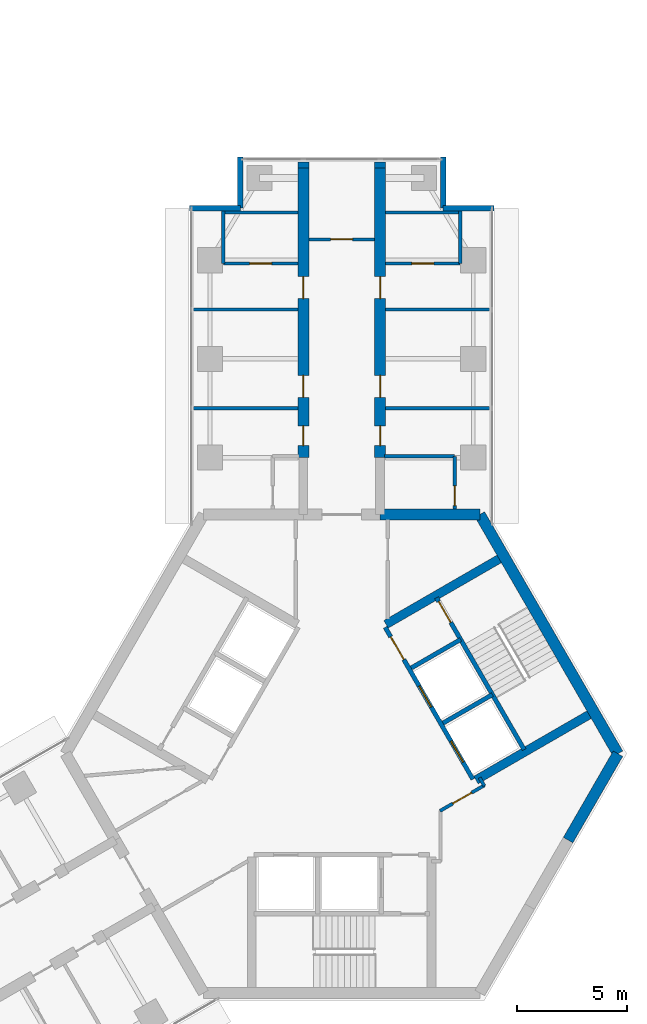
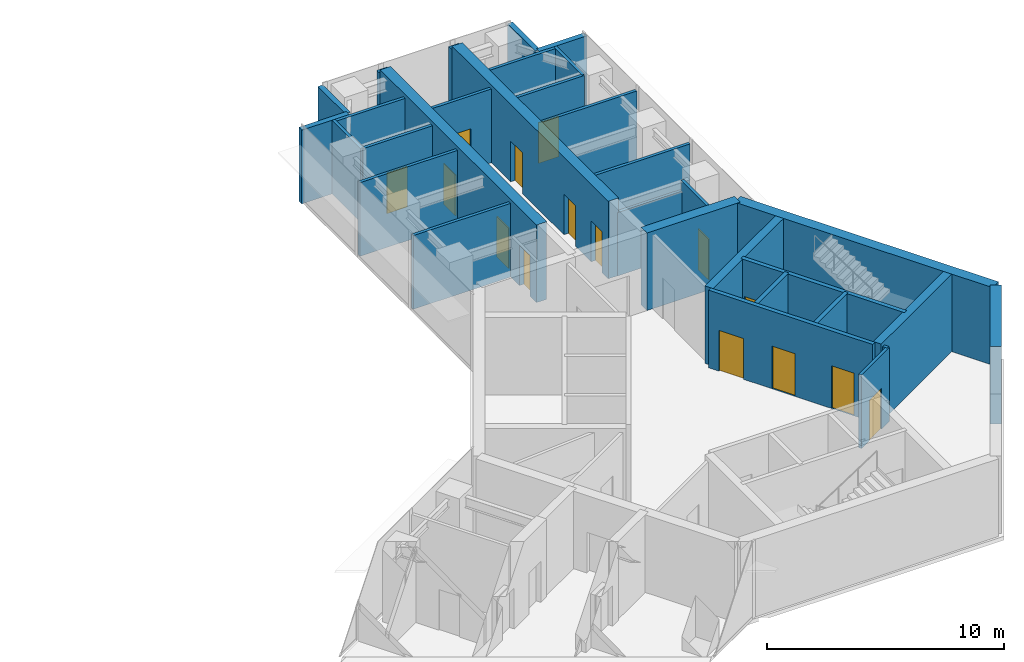
# One storey, part 15 of 17: 32 walls, 15 doors, 15 openings.
"""IFC4 building model written with IfcOpenShell, lengths in metres."""

import ifcopenshell
import ifcopenshell.guid

model = None  # the IFC model being written
_history = None  # IfcOwnerHistory: only IFC2X3 demands one
_inside = {}  # id of a spatial element -> (the spatial element, [elements in it])
_under = {}  # id of a project, library or spatial element -> (it, [spatial elements below it])
_declared = {}  # id of a project -> (the project, [libraries it declares])
_typed = {}  # id of a type object -> (the type object, [elements of that type])
_made_of = {}  # id of a material, layer set ... -> (it, [elements and type objects made of it])


def new_model(schema):
    """Start an empty IFC model of exactly this schema.

    Asked for "IFC4X3", IfcOpenShell would pick the latest addendum, in which some entities
    have other attributes; the version numbers below select the first issue.
    IFC2X3 requires an IfcOwnerHistory on every rooted entity: one is made here for all.
    """
    global model, _history
    if schema == "IFC4X3":
        model = ifcopenshell.file(schema_version=(4, 3, 0, 0))
    else:
        model = ifcopenshell.file(schema=schema)
    _inside.clear()
    _under.clear()
    _declared.clear()
    _typed.clear()
    _made_of.clear()
    _history = None
    if model.schema == "IFC2X3":
        org = make("IfcOrganization", Name="unknown")
        user = make(
            "IfcPersonAndOrganization",
            ThePerson=make("IfcPerson", FamilyName="unknown"),
            TheOrganization=org,
        )
        app = make(
            "IfcApplication",
            ApplicationDeveloper=org,
            Version="unknown",
            ApplicationFullName="unknown",
            ApplicationIdentifier="unknown",
        )
        _history = make(
            "IfcOwnerHistory",
            OwningUser=user,
            OwningApplication=app,
            ChangeAction="ADDED",
            CreationDate=0,
        )
    return model


def make(cls, **values):
    """One entity of the class cls with the attributes given. An attribute that is None is left unset."""
    return model.create_entity(
        cls, **{name: value for name, value in values.items() if value is not None}
    )


def rooted(cls, **values):
    """An entity with a GlobalId (a new one), such as an element, a storey or a relation."""
    return make(cls, GlobalId=ifcopenshell.guid.new(), OwnerHistory=_history, **values)


def si_unit(unit_type, name, prefix=None):
    """IfcSIUnit, for example si_unit("LENGTHUNIT", "METRE", prefix="MILLI")."""
    return make("IfcSIUnit", UnitType=unit_type, Prefix=prefix, Name=name)


def assignment(units):
    """IfcUnitAssignment: the units of a project."""
    return None if units is None else make("IfcUnitAssignment", Units=units)


def point(xyz):
    """IfcCartesianPoint."""
    return None if xyz is None else make("IfcCartesianPoint", Coordinates=xyz)


def direction(xyz):
    """IfcDirection."""
    return None if xyz is None else make("IfcDirection", DirectionRatios=xyz)


def frame(location, z_axis=None, x_axis=None):
    """IfcAxis2Placement3D, a coordinate frame: its origin and axes. An axis left out is left unset."""
    return make(
        "IfcAxis2Placement3D",
        Location=point(location),
        Axis=direction(z_axis),
        RefDirection=direction(x_axis),
    )


def frame_2d(location, x_axis=None):
    """IfcAxis2Placement2D, a coordinate frame in the plane: its origin and x axis."""
    return make(
        "IfcAxis2Placement2D", Location=point(location), RefDirection=direction(x_axis)
    )


def origin():
    """The frame at (0, 0, 0) with its axes left unset."""
    return frame((0.0, 0.0, 0.0))


def place(relative_to, where):
    """IfcLocalPlacement: puts the frame where relative to a parent placement (None: the world)."""
    return make(
        "IfcLocalPlacement", PlacementRelTo=relative_to, RelativePlacement=where
    )


def context(
    kind, dimensions, precision=None, world=None, true_north=None, identifier=None
):
    """IfcGeometricRepresentationContext, for example the 3D "Model" context."""
    return make(
        "IfcGeometricRepresentationContext",
        ContextIdentifier=identifier,
        ContextType=kind,
        CoordinateSpaceDimension=dimensions,
        Precision=precision,
        WorldCoordinateSystem=world,
        TrueNorth=true_north,
    )


def subcontext(parent, identifier, kind, view, scale=None):
    """IfcGeometricRepresentationSubContext, for example "Body" below "Model"."""
    return make(
        "IfcGeometricRepresentationSubContext",
        ContextIdentifier=identifier,
        ContextType=kind,
        ParentContext=parent,
        TargetScale=scale,
        TargetView=view,
    )


def project(units=None, contexts=None):
    """IfcProject with its units and contexts."""
    return rooted(
        "IfcProject",
        Name="project",
        RepresentationContexts=contexts,
        UnitsInContext=assignment(units),
    )


def spatial(cls, under=None, at=None, **own):
    """A site, building, storey or space (cls), placed at a placement, below another one or the project."""
    s = rooted(cls, ObjectPlacement=at, **own)
    if under is not None:
        _under.setdefault(under.id(), (under, []))[1].append(s)
    return s


def profile(cls, at=None, kind="AREA", **sizes):
    """A parametric profile (cls). Its sizes go by their IFC names, for example OverallWidth=200.0."""
    return make(cls, ProfileType=kind, Position=at, **sizes)


def rectangle(**sizes):
    """IfcRectangleProfileDef."""
    return profile("IfcRectangleProfileDef", **sizes)


def extrude(swept, where, along, depth):
    """IfcExtrudedAreaSolid: the profile swept, set in the frame where, extruded along a direction by depth."""
    return make(
        "IfcExtrudedAreaSolid",
        SweptArea=swept,
        Position=where,
        ExtrudedDirection=direction(along),
        Depth=depth,
    )


def shape(context_of_items, identifier, shape_type, items):
    """IfcShapeRepresentation: the items that make up one representation, for example the "Body"."""
    return make(
        "IfcShapeRepresentation",
        ContextOfItems=context_of_items,
        RepresentationIdentifier=identifier,
        RepresentationType=shape_type,
        Items=items,
    )


def material(Name=None, Category=None):
    """IfcMaterial."""
    return make("IfcMaterial", Name=Name, Category=Category)


def layer(
    of_material, thickness, ventilated=None, Name=None, Category=None, Priority=None
):
    """IfcMaterialLayer: one layer of a wall or slab, of a material (None: an air gap)."""
    return make(
        "IfcMaterialLayer",
        Material=of_material,
        LayerThickness=thickness,
        IsVentilated=ventilated,
        Name=Name,
        Category=Category,
        Priority=Priority,
    )


def layer_set(layers, Name=None):
    """IfcMaterialLayerSet."""
    return make("IfcMaterialLayerSet", MaterialLayers=layers, LayerSetName=Name)


def made_of(thing, what):
    """Note that an element or type object is made of a material, layer set ...; save() writes the relation."""
    if what is not None:
        _made_of.setdefault(what.id(), (what, []))[1].append(thing)
    return thing


def type_object(cls, material=None, **own):
    """A type object (cls), such as IfcWallType, which elements share."""
    return made_of(rooted(cls, **own), material)


def element(
    cls,
    number,
    at=None,
    inside=None,
    cuts=None,
    type_object=None,
    material=None,
    context=None,
    identifier="Body",
    shape_type=None,
    held_by="IfcProductDefinitionShape",
    body=None,
    shapes=None,
    **own,
):
    """One element of the class cls, such as IfcWall. Its Tag is "e" and its number.

    at: its placement. inside: the storey or other place that contains it. cuts: it is an
    opening in that element (IfcRelVoidsElement). A single representation is given by context,
    identifier, shape_type and body (its items); several are given by shapes. held_by: the class
    of the entity that holds the representations. save() writes the other relations.
    """
    e = rooted(cls, Tag="e%d" % number, ObjectPlacement=at, **own)
    if body is not None:
        shapes = [shape(context, identifier, shape_type, body)]
    if shapes is not None:
        e.Representation = make(held_by, Representations=shapes)
    if inside is not None:
        _inside.setdefault(inside.id(), (inside, []))[1].append(e)
    if cuts is not None:
        rooted(
            "IfcRelVoidsElement", RelatingBuildingElement=cuts, RelatedOpeningElement=e
        )
    if type_object is not None:
        _typed.setdefault(type_object.id(), (type_object, []))[1].append(e)
    return made_of(e, material)


def fill(opening, filler):
    """IfcRelFillsElement: the door or window that sits in an opening."""
    return rooted(
        "IfcRelFillsElement",
        RelatingOpeningElement=opening,
        RelatedBuildingElement=filler,
    )


def aggregate(whole, parts):
    """IfcRelAggregates: a whole, such as a stair, and the parts it consists of."""
    return rooted("IfcRelAggregates", RelatingObject=whole, RelatedObjects=parts)


def save(model, path):
    """Write the relations noted so far, then the file.

    IfcRelAggregates (storeys below a building ...), IfcRelContainedInSpatialStructure (elements
    in a storey), IfcRelDefinesByType, IfcRelAssociatesMaterial and IfcRelDeclares: one each for
    every whole, place, type object, material and project.
    """
    for whole, parts in _under.values():
        aggregate(whole, parts)
    for where, things in _inside.values():
        rooted(
            "IfcRelContainedInSpatialStructure",
            RelatedElements=things,
            RelatingStructure=where,
        )
    for kind, things in _typed.values():
        rooted("IfcRelDefinesByType", RelatedObjects=things, RelatingType=kind)
    for what, things in _made_of.values():
        rooted("IfcRelAssociatesMaterial", RelatedObjects=things, RelatingMaterial=what)
    for by, libraries in _declared.values():
        rooted("IfcRelDeclares", RelatingContext=by, RelatedDefinitions=libraries)
    model.write(path)


model = new_model("IFC4")

# Units and contexts
model_context = context("Model", 3, precision=1e-05, world=origin(), true_north=direction((0.0, 1.0)))
body_context = subcontext(model_context, "Body", "Model", "MODEL_VIEW")
ifc_project = project(units=[si_unit("LENGTHUNIT", "METRE"), si_unit("AREAUNIT", "SQUARE_METRE"), si_unit("VOLUMEUNIT", "CUBIC_METRE"), si_unit("PLANEANGLEUNIT", "RADIAN"), si_unit("MASSUNIT", "GRAM", prefix="KILO")], contexts=[model_context])

# Site, building, storey
site_placement = place(None, origin())
site = spatial("IfcSite", under=ifc_project, at=site_placement, CompositionType="ELEMENT")
building_placement = place(site_placement, origin())
building = spatial("IfcBuilding", under=site, at=building_placement, Name="Upepo Twin Towers", CompositionType="ELEMENT")
storey_placement = place(building_placement, frame((0.0, 0.0, 206.5)))
storey = spatial("IfcBuildingStorey", under=building, at=storey_placement, Name="L50", CompositionType="ELEMENT", Elevation=206.5)

# Walls
ifc_material_1 = material(Name="Dense concrete blockwork", Category="masonry")
ifc_layer_1 = layer(ifc_material_1, 0.5)
ifc_layer_set_1 = layer_set([ifc_layer_1], Name="Buttress closer 500, blockwork with fire-stopping to the curtain wall")
wall_type_1 = type_object("IfcWallType", Name="Buttress closer 500, blockwork with fire-stopping to the curtain wall", PredefinedType="PARTITIONING", material=ifc_layer_set_1)
for number, where, z_axis, x_axis, name in (
    (1, (56.75, 8.699951171875, 0.0), (0.0, 0.0, 1.0), (0.0, 1.0, 0.0), "T2 L50 wing A buttress closer L"),
    (2, (60.25, 8.699951171875, 0.0), (0.0, 0.0, 1.0), (0.0, 1.0, 0.0), "T2 L50 wing A buttress closer R"),
):
    element("IfcWall", number, at=place(storey_placement, frame(where, z_axis=z_axis, x_axis=x_axis)), inside=storey, type_object=wall_type_1, Name=name, PredefinedType="PARTITIONING", context=body_context, shape_type="SweptSolid", body=[
        extrude(rectangle(XDim=0.28759765625, YDim=0.5, at=frame_2d((0.143798828125, 0.0))), origin(), (0.0, 0.0, 1.0), 3.800048828125),
    ])

# Wall, openings, doors
ifc_material_2 = material(Name="Concrete C60/75", Category="concrete")
ifc_layer_2 = layer(ifc_material_2, 0.5)
ifc_layer_set_2 = layer_set([ifc_layer_2], Name="Concrete C60/75")
wall_type_2 = type_object("IfcWallType", Name="Buttress wall 500 RC", PredefinedType="SHEAR", material=ifc_layer_set_2)
wall_1_placement = place(storey_placement, frame((56.75, -4.5, 0.0), z_axis=(0.0, 0.0, 1.0), x_axis=(0.0, 1.0, 0.0)))
wall_1 = element("IfcWall", 3, at=wall_1_placement, inside=storey, type_object=wall_type_2, Name="T2 wing A buttress wall L part 2", PredefinedType="SHEAR", context=body_context, shape_type="SweptSolid", body=[
    extrude(rectangle(XDim=13.199951171875, YDim=0.5, at=frame_2d((6.60009765625, 0.0))), origin(), (0.0, 0.0, 1.0), 4.0),
])
opening_1_placement = place(wall_1_placement, frame((0.550048828125, 0.0, 0.0)))
opening_1 = element("IfcOpeningElement", 4, at=opening_1_placement, cuts=wall_1, Name="Opening D11", PredefinedType="OPENING", context=body_context, shape_type="SweptSolid", body=[
    extrude(rectangle(XDim=0.89990234375, YDim=2.10009765625, at=frame_2d((0.449951171875, 1.050048828125))), frame((0.0, 0.260009765625, 0.0), z_axis=(0.0, -1.0, 0.0), x_axis=(1.0, 0.0, 0.0)), (0.0, 0.0, 1.0), 0.52001953125),
])
opening_2_placement = place(wall_1_placement, frame((2.75, 0.0, 0.0)))
opening_2 = element("IfcOpeningElement", 5, at=opening_2_placement, cuts=wall_1, Name="Opening D1", PredefinedType="OPENING", context=body_context, shape_type="SweptSolid", body=[
    extrude(rectangle(XDim=1.0, YDim=2.10009765625, at=frame_2d((0.5, 1.050048828125))), frame((0.0, 0.260009765625, 0.0), z_axis=(0.0, -1.0, 0.0), x_axis=(1.0, 0.0, 0.0)), (0.0, 0.0, 1.0), 0.52001953125),
])
opening_3_placement = place(wall_1_placement, frame((7.25, 0.0, 0.0)))
opening_3 = element("IfcOpeningElement", 6, at=opening_3_placement, cuts=wall_1, Name="Opening D1", PredefinedType="OPENING", context=body_context, shape_type="SweptSolid", body=[
    extrude(rectangle(XDim=1.0, YDim=2.10009765625, at=frame_2d((0.5, 1.050048828125))), frame((0.0, 0.260009765625, 0.0), z_axis=(0.0, -1.0, 0.0), x_axis=(1.0, 0.0, 0.0)), (0.0, 0.0, 1.0), 0.52001953125),
])
ifc_material_3 = material(Name="Timber doorset", Category="wood")
door_type_1 = type_object("IfcDoorType", Name="Room door 1000 FD30", OperationType="SINGLE_SWING_LEFT", PredefinedType="DOOR", material=ifc_material_3)
door_1_placement = place(opening_2_placement, origin())
door_1 = element("IfcDoor", 7, at=door_1_placement, inside=storey, type_object=door_type_1, Name="T2 L50 tutorial room door", OperationType="SINGLE_SWING_LEFT", OverallHeight=2.10009765625, OverallWidth=1.0, PredefinedType="DOOR", context=body_context, shape_type="SweptSolid", body=[
    extrude(rectangle(XDim=1.0, YDim=2.10009765625, at=frame_2d((0.5, 1.050048828125))), frame((0.0, 0.02490234375, 0.0), z_axis=(0.0, -1.0, 0.0), x_axis=(1.0, 0.0, 0.0)), (0.0, 0.0, 1.0), 0.050048828125),
])
fill(opening_2, door_1)
door_2_placement = place(opening_3_placement, origin())
door_2 = element("IfcDoor", 8, at=door_2_placement, inside=storey, type_object=door_type_1, Name="T2 L50 staff office door", OperationType="SINGLE_SWING_RIGHT", OverallHeight=2.10009765625, OverallWidth=1.0, PredefinedType="DOOR", context=body_context, shape_type="SweptSolid", body=[
    extrude(rectangle(XDim=1.0, YDim=2.10009765625, at=frame_2d((0.5, 1.050048828125))), frame((0.0, 0.02490234375, 0.0), z_axis=(0.0, -1.0, 0.0), x_axis=(1.0, 0.0, 0.0)), (0.0, 0.0, 1.0), 0.050048828125),
])
fill(opening_3, door_2)
ifc_material_4 = material(Name="Timber doorset", Category="wood")
door_type_2 = type_object("IfcDoorType", Name="Toilet door 900", OperationType="SINGLE_SWING_LEFT", PredefinedType="DOOR", material=ifc_material_4)
door_3_placement = place(opening_1_placement, origin())
door_3 = element("IfcDoor", 9, at=door_3_placement, inside=storey, type_object=door_type_2, Name="T2 L50 toilets door", OperationType="SINGLE_SWING_LEFT", OverallHeight=2.10009765625, OverallWidth=0.89990234375, PredefinedType="DOOR", context=body_context, shape_type="SweptSolid", body=[
    extrude(rectangle(XDim=0.89990234375, YDim=2.10009765625, at=frame_2d((0.449951171875, 1.050048828125))), frame((0.0, 0.02490234375, 0.0), z_axis=(0.0, -1.0, 0.0), x_axis=(1.0, 0.0, 0.0)), (0.0, 0.0, 1.0), 0.050048828125),
])
fill(opening_1, door_3)

wall_2_placement = place(storey_placement, frame((60.25, -4.5, 0.0), z_axis=(0.0, 0.0, 1.0), x_axis=(0.0, 1.0, 0.0)))
wall_2 = element("IfcWall", 10, at=wall_2_placement, inside=storey, type_object=wall_type_2, Name="T2 wing A buttress wall R part 2", PredefinedType="SHEAR", context=body_context, shape_type="SweptSolid", body=[
    extrude(rectangle(XDim=13.199951171875, YDim=0.5, at=frame_2d((6.60009765625, 0.0))), origin(), (0.0, 0.0, 1.0), 4.0),
])
opening_4_placement = place(wall_2_placement, frame((0.550048828125, 0.0, 0.0)))
opening_4 = element("IfcOpeningElement", 11, at=opening_4_placement, cuts=wall_2, Name="Opening D11", PredefinedType="OPENING", context=body_context, shape_type="SweptSolid", body=[
    extrude(rectangle(XDim=0.89990234375, YDim=2.10009765625, at=frame_2d((0.449951171875, 1.050048828125))), frame((0.0, 0.260009765625, 0.0), z_axis=(0.0, -1.0, 0.0), x_axis=(1.0, 0.0, 0.0)), (0.0, 0.0, 1.0), 0.52001953125),
])
opening_5_placement = place(wall_2_placement, frame((2.75, 0.0, 0.0)))
opening_5 = element("IfcOpeningElement", 12, at=opening_5_placement, cuts=wall_2, Name="Opening D1", PredefinedType="OPENING", context=body_context, shape_type="SweptSolid", body=[
    extrude(rectangle(XDim=1.0, YDim=2.10009765625, at=frame_2d((0.5, 1.050048828125))), frame((0.0, 0.260009765625, 0.0), z_axis=(0.0, -1.0, 0.0), x_axis=(1.0, 0.0, 0.0)), (0.0, 0.0, 1.0), 0.52001953125),
])
opening_6_placement = place(wall_2_placement, frame((7.25, 0.0, 0.0)))
opening_6 = element("IfcOpeningElement", 13, at=opening_6_placement, cuts=wall_2, Name="Opening D1", PredefinedType="OPENING", context=body_context, shape_type="SweptSolid", body=[
    extrude(rectangle(XDim=1.0, YDim=2.10009765625, at=frame_2d((0.5, 1.050048828125))), frame((0.0, 0.260009765625, 0.0), z_axis=(0.0, -1.0, 0.0), x_axis=(1.0, 0.0, 0.0)), (0.0, 0.0, 1.0), 0.52001953125),
])
door_4_placement = place(opening_5_placement, origin())
door_4 = element("IfcDoor", 14, at=door_4_placement, inside=storey, type_object=door_type_1, Name="T2 L50 seminar room door", OperationType="SINGLE_SWING_LEFT", OverallHeight=2.10009765625, OverallWidth=1.0, PredefinedType="DOOR", context=body_context, shape_type="SweptSolid", body=[
    extrude(rectangle(XDim=1.0, YDim=2.10009765625, at=frame_2d((0.5, 1.050048828125))), frame((0.0, 0.02490234375, 0.0), z_axis=(0.0, -1.0, 0.0), x_axis=(1.0, 0.0, 0.0)), (0.0, 0.0, 1.0), 0.050048828125),
])
fill(opening_5, door_4)
door_5_placement = place(opening_6_placement, origin())
door_5 = element("IfcDoor", 15, at=door_5_placement, inside=storey, type_object=door_type_1, Name="T2 L50 tutorial room door", OperationType="SINGLE_SWING_RIGHT", OverallHeight=2.10009765625, OverallWidth=1.0, PredefinedType="DOOR", context=body_context, shape_type="SweptSolid", body=[
    extrude(rectangle(XDim=1.0, YDim=2.10009765625, at=frame_2d((0.5, 1.050048828125))), frame((0.0, 0.02490234375, 0.0), z_axis=(0.0, -1.0, 0.0), x_axis=(1.0, 0.0, 0.0)), (0.0, 0.0, 1.0), 0.050048828125),
])
fill(opening_6, door_5)
door_6_placement = place(opening_4_placement, origin())
door_6 = element("IfcDoor", 16, at=door_6_placement, inside=storey, type_object=door_type_2, Name="T2 L50 accessible wc door", OperationType="SINGLE_SWING_LEFT", OverallHeight=2.10009765625, OverallWidth=0.89990234375, PredefinedType="DOOR", context=body_context, shape_type="SweptSolid", body=[
    extrude(rectangle(XDim=0.89990234375, YDim=2.10009765625, at=frame_2d((0.449951171875, 1.050048828125))), frame((0.0, 0.02490234375, 0.0), z_axis=(0.0, -1.0, 0.0), x_axis=(1.0, 0.0, 0.0)), (0.0, 0.0, 1.0), 0.050048828125),
])
fill(opening_4, door_6)

# Walls
ifc_material_5 = material(Name="Concrete C60/75", Category="concrete")
ifc_layer_3 = layer(ifc_material_5, 0.5)
ifc_layer_set_3 = layer_set([ifc_layer_3], Name="Concrete C60/75")
wall_type_3 = type_object("IfcWallType", Name="Core wall 500 RC", PredefinedType="SHEAR", material=ifc_layer_set_3)
wall_3_placement = place(storey_placement, frame((64.7978515625, -7.091552734375, 0.0), z_axis=(0.0, 0.0, 1.0), x_axis=(-1.0, 0.0, 0.0)))
element("IfcWall", 17, at=wall_3_placement, inside=storey, type_object=wall_type_3, Name="T2 core wall 000 R", PredefinedType="SHEAR", context=body_context, shape_type="SweptSolid", body=[
    extrude(rectangle(XDim=4.5478515625, YDim=0.5, at=frame_2d((2.27392578125, 0.0))), origin(), (0.0, 0.0, 1.0), 4.0),
])
wall_4_placement = place(storey_placement, frame((68.82177734375, -21.938720703125, 0.0), z_axis=(0.0, 0.0, 1.0), x_axis=(0.500024481964, 0.866011268655, 0.0)))
element("IfcWall", 18, at=wall_4_placement, inside=storey, type_object=wall_type_3, Name="T2 core wall 240 L", PredefinedType="SHEAR", context=body_context, shape_type="SweptSolid", body=[
    extrude(rectangle(XDim=4.548095703125, YDim=0.5, at=frame_2d((2.27392578125, 0.0))), origin(), (0.0, 0.0, 1.0), 4.0),
])
wall_5_placement = place(storey_placement, frame((71.095947265625, -18.0, 0.0), z_axis=(0.0, 0.0, 1.0), x_axis=(-0.500005998175, 0.866021940709, 0.0)))
element("IfcWall", 19, at=wall_5_placement, inside=storey, type_object=wall_type_3, Name="T2 core wall 300", PredefinedType="SHEAR", context=body_context, shape_type="SweptSolid", body=[
    extrude(rectangle(XDim=12.595947265625, YDim=0.5, at=frame_2d((6.2978515625, 0.0))), origin(), (0.0, 0.0, 1.0), 4.0),
])
ifc_material_6 = material(Name="Blockwork with anodised aluminium cladding", Category="masonry")
ifc_layer_4 = layer(ifc_material_6, 0.25)
ifc_layer_set_4 = layer_set([ifc_layer_4], Name="Notch cladding wall 250, pale metal")
wall_type_4 = type_object("IfcWallType", Name="Notch cladding wall 250, pale metal", PredefinedType="STANDARD", material=ifc_layer_set_4)
for number, where, z_axis, x_axis, name in (
    (20, (51.550048828125, 6.875, 0.0), (0.0, 0.0, 1.0), (1.0, 0.0, 0.0), "T2 L50 wing A notch wall L1"),
    (21, (53.875, 6.875, 0.0), (0.0, 0.0, 1.0), (0.0, 1.0, 0.0), "T2 L50 wing A notch wall L2"),
    (22, (65.449951171875, 6.875, 0.0), (0.0, 0.0, 1.0), (-1.0, 0.0, 0.0), "T2 L50 wing A notch wall R1"),
    (23, (63.125, 6.875, 0.0), (0.0, 0.0, 1.0), (0.0, 1.0, 0.0), "T2 L50 wing A notch wall R2"),
):
    element("IfcWall", number, at=place(storey_placement, frame(where, z_axis=z_axis, x_axis=x_axis)), inside=storey, type_object=wall_type_4, Name=name, PredefinedType="STANDARD", context=body_context, shape_type="SweptSolid", body=[
        extrude(rectangle(XDim=2.324951171875, YDim=0.25, at=frame_2d((1.16259765625, 0.0))), origin(), (0.0, 0.0, 1.0), 3.800048828125),
    ])

# Wall, openings, doors
ifc_material_7 = material(Name="Concrete C40/50", Category="concrete")
ifc_layer_5 = layer(ifc_material_7, 0.199951171875)
ifc_layer_set_5 = layer_set([ifc_layer_5], Name="Concrete C40/50")
wall_type_5 = type_object("IfcWallType", Name="Shaft wall 200 RC", PredefinedType="SHEAR", material=ifc_layer_set_5)
wall_6_placement = place(storey_placement, frame((64.483642578125, -19.1640625, 0.0), z_axis=(0.0, 0.0, 1.0), x_axis=(-0.49999894854, 0.866026010844, 0.0)))
wall_6 = element("IfcWall", 24, at=wall_6_placement, inside=storey, type_object=wall_type_5, Name="T2 core W300 front wall", PredefinedType="SHEAR", context=body_context, shape_type="SweptSolid", body=[
    extrude(rectangle(XDim=8.0, YDim=0.199951171875, at=frame_2d((4.0, 0.0))), origin(), (0.0, 0.0, 1.0), 4.0),
])
opening_7_placement = place(wall_6_placement, frame((6.300048828125, 0.0, 0.0)))
opening_7 = element("IfcOpeningElement", 25, at=opening_7_placement, cuts=wall_6, Name="Opening D4", PredefinedType="OPENING", context=body_context, shape_type="SweptSolid", body=[
    extrude(rectangle(XDim=1.199951171875, YDim=2.10009765625, at=frame_2d((0.60009765625, 1.050048828125))), frame((0.0, 0.10986328125, 0.0), z_axis=(0.0, -1.0, 0.0), x_axis=(1.0, 0.0, 0.0)), (0.0, 0.0, 1.0), 0.219970703125),
])
opening_8_placement = place(wall_6_placement, frame((0.89990234375, 0.0, 0.0)))
opening_8 = element("IfcOpeningElement", 26, at=opening_8_placement, cuts=wall_6, Name="Opening LD1", PredefinedType="OPENING", context=body_context, shape_type="SweptSolid", body=[
    extrude(rectangle(XDim=1.10009765625, YDim=2.199951171875, at=frame_2d((0.550048828125, 1.10009765625))), frame((0.0, 0.10986328125, 0.0), z_axis=(0.0, -1.0, 0.0), x_axis=(1.0, 0.0, 0.0)), (0.0, 0.0, 1.0), 0.219970703125),
])
opening_9_placement = place(wall_6_placement, frame((3.800048828125, 0.0, 0.0)))
opening_9 = element("IfcOpeningElement", 27, at=opening_9_placement, cuts=wall_6, Name="Opening LD1", PredefinedType="OPENING", context=body_context, shape_type="SweptSolid", body=[
    extrude(rectangle(XDim=1.10009765625, YDim=2.199951171875, at=frame_2d((0.550048828125, 1.10009765625))), frame((0.0, 0.10986328125, 0.0), z_axis=(0.0, -1.0, 0.0), x_axis=(1.0, 0.0, 0.0)), (0.0, 0.0, 1.0), 0.219970703125),
])
ifc_material_8 = material(Name="Steel doorset", Category="steel")
door_type_3 = type_object("IfcDoorType", Name="Lift landing door 1100", OperationType="DOUBLE_DOOR_SLIDING", PredefinedType="DOOR", material=ifc_material_8)
door_7_placement = place(opening_8_placement, origin())
door_7 = element("IfcDoor", 28, at=door_7_placement, inside=storey, type_object=door_type_3, Name="T2 L50 lift UL1 landing door", OperationType="DOUBLE_DOOR_SLIDING", OverallHeight=2.199951171875, OverallWidth=1.10009765625, PredefinedType="DOOR", context=body_context, shape_type="SweptSolid", body=[
    extrude(rectangle(XDim=1.10009765625, YDim=2.199951171875, at=frame_2d((0.550048828125, 1.10009765625))), frame((0.0, 0.02490234375, 0.0), z_axis=(0.0, -1.0, 0.0), x_axis=(1.0, 0.0, 0.0)), (0.0, 0.0, 1.0), 0.050048828125),
])
fill(opening_8, door_7)
door_8_placement = place(opening_9_placement, origin())
door_8 = element("IfcDoor", 29, at=door_8_placement, inside=storey, type_object=door_type_3, Name="T2 L50 lift UL2 landing door", OperationType="DOUBLE_DOOR_SLIDING", OverallHeight=2.199951171875, OverallWidth=1.10009765625, PredefinedType="DOOR", context=body_context, shape_type="SweptSolid", body=[
    extrude(rectangle(XDim=1.10009765625, YDim=2.199951171875, at=frame_2d((0.550048828125, 1.10009765625))), frame((0.0, 0.02490234375, 0.0), z_axis=(0.0, -1.0, 0.0), x_axis=(1.0, 0.0, 0.0)), (0.0, 0.0, 1.0), 0.050048828125),
])
fill(opening_9, door_8)
ifc_material_9 = material(Name="Timber doorset", Category="wood")
door_type_4 = type_object("IfcDoorType", Name="Lobby door 1200 FD60", OperationType="SINGLE_SWING_LEFT", PredefinedType="DOOR", material=ifc_material_9)
door_9_placement = place(opening_7_placement, origin())
door_9 = element("IfcDoor", 30, at=door_9_placement, inside=storey, type_object=door_type_4, Name="T2 L50 W300 lobby door", OperationType="SINGLE_SWING_RIGHT", OverallHeight=2.10009765625, OverallWidth=1.199951171875, PredefinedType="DOOR", context=body_context, shape_type="SweptSolid", body=[
    extrude(rectangle(XDim=1.199951171875, YDim=2.10009765625, at=frame_2d((0.60009765625, 1.050048828125))), frame((0.0, 0.02490234375, 0.0), z_axis=(0.0, -1.0, 0.0), x_axis=(1.0, 0.0, 0.0)), (0.0, 0.0, 1.0), 0.050048828125),
])
fill(opening_7, door_9)

# Walls
wall_7_placement = place(storey_placement, frame((63.120361328125, -16.6025390625, 0.0), z_axis=(0.0, 0.0, 1.0), x_axis=(0.866062058628, 0.499936506574, 0.0)))
element("IfcWall", 31, at=wall_7_placement, inside=storey, type_object=wall_type_5, Name="T2 core W300 shaft divider", PredefinedType="SHEAR", context=body_context, shape_type="SweptSolid", body=[
    extrude(rectangle(XDim=2.599853515625, YDim=0.199951171875, at=frame_2d((1.2998046875, 0.0))), origin(), (0.0, 0.0, 1.0), 4.0),
])
wall_8_placement = place(storey_placement, frame((61.67041015625, -14.091064453125, 0.0), z_axis=(0.0, 0.0, 1.0), x_axis=(0.86603858612, 0.49997716683, 0.0)))
element("IfcWall", 32, at=wall_8_placement, inside=storey, type_object=wall_type_5, Name="T2 core W300 lobby wall", PredefinedType="SHEAR", context=body_context, shape_type="SweptSolid", body=[
    extrude(rectangle(XDim=2.599609375, YDim=0.199951171875, at=frame_2d((1.2998046875, 0.0))), origin(), (0.0, 0.0, 1.0), 4.0),
])

# Wall, opening, door
wall_9_placement = place(storey_placement, frame((66.822021484375, -17.814208984375, 0.0), z_axis=(0.0, 0.0, 1.0), x_axis=(-0.49999894854, 0.866026010844, 0.0)))
wall_9 = element("IfcWall", 33, at=wall_9_placement, inside=storey, type_object=wall_type_5, Name="T2 core W300 stair wall", PredefinedType="SHEAR", context=body_context, shape_type="SweptSolid", body=[
    extrude(rectangle(XDim=8.0, YDim=0.199951171875, at=frame_2d((4.0, 0.0))), origin(), (0.0, 0.0, 1.0), 4.0),
])
opening_10_placement = place(wall_9_placement, frame((6.699951171875, 0.0, 0.0)))
opening_10 = element("IfcOpeningElement", 34, at=opening_10_placement, cuts=wall_9, Name="Opening D3", PredefinedType="OPENING", context=body_context, shape_type="SweptSolid", body=[
    extrude(rectangle(XDim=1.10009765625, YDim=2.10009765625, at=frame_2d((0.550048828125, 1.050048828125))), frame((0.0, 0.10986328125, 0.0), z_axis=(0.0, -1.0, 0.0), x_axis=(1.0, 0.0, 0.0)), (0.0, 0.0, 1.0), 0.219970703125),
])
ifc_material_10 = material(Name="Timber doorset", Category="wood")
door_type_5 = type_object("IfcDoorType", Name="Stair door 1100 FD60", OperationType="SINGLE_SWING_LEFT", PredefinedType="DOOR", material=ifc_material_10)
door_10_placement = place(opening_10_placement, origin())
door_10 = element("IfcDoor", 35, at=door_10_placement, inside=storey, type_object=door_type_5, Name="T2 L50 stair door", OperationType="SINGLE_SWING_RIGHT", OverallHeight=2.10009765625, OverallWidth=1.10009765625, PredefinedType="DOOR", context=body_context, shape_type="SweptSolid", body=[
    extrude(rectangle(XDim=1.10009765625, YDim=2.10009765625, at=frame_2d((0.550048828125, 1.050048828125))), frame((0.0, 0.02490234375, 0.0), z_axis=(0.0, -1.0, 0.0), x_axis=(1.0, 0.0, 0.0)), (0.0, 0.0, 1.0), 0.050048828125),
])
fill(opening_10, door_10)

# Walls
ifc_material_11 = material(Name="Concrete C40/50", Category="concrete")
ifc_layer_6 = layer(ifc_material_11, 0.39990234375)
ifc_layer_set_6 = layer_set([ifc_layer_6], Name="Concrete C40/50")
wall_type_6 = type_object("IfcWallType", Name="Shaft wall 400 RC", PredefinedType="SHEAR", material=ifc_layer_set_6)
wall_10_placement = place(storey_placement, frame((60.520263671875, -12.099365234375, 0.0), z_axis=(0.0, 0.0, 1.0), x_axis=(0.86602319114, 0.500003832394, 0.0)))
element("IfcWall", 36, at=wall_10_placement, inside=storey, type_object=wall_type_6, Name="T2 core W300 side wall N", PredefinedType="SHEAR", context=body_context, shape_type="SweptSolid", body=[
    extrude(rectangle(XDim=5.95849609375, YDim=0.39990234375, at=frame_2d((2.979248046875, 0.0))), origin(), (0.0, 0.0, 1.0), 4.0),
])
wall_11_placement = place(storey_placement, frame((64.620361328125, -19.20068359375, 0.0), z_axis=(0.0, 0.0, 1.0), x_axis=(0.866012946976, 0.500021575205, 0.0)))
element("IfcWall", 37, at=wall_11_placement, inside=storey, type_object=wall_type_6, Name="T2 core W300 side wall S", PredefinedType="SHEAR", context=body_context, shape_type="SweptSolid", body=[
    extrude(rectangle(XDim=5.958251953125, YDim=0.39990234375, at=frame_2d((2.97900390625, 0.0))), origin(), (0.0, 0.0, 1.0), 4.0),
])
ifc_material_12 = material(Name="Gypsum board on steel studs", Category="steel")
ifc_layer_7 = layer(ifc_material_12, 0.14990234375)
ifc_layer_set_7 = layer_set([ifc_layer_7], Name="Teaching partition 150 acoustic")
wall_type_7 = type_object("IfcWallType", Name="Teaching partition 150 acoustic", PredefinedType="PARTITIONING", material=ifc_layer_set_7)
for number, where, z_axis, x_axis, name in (
    (38, (56.5, -2.25, 0.0), (0.0, 0.0, 1.0), (-1.0, 0.0, 0.0), "T2 partition AL at 15.75"),
    (39, (56.5, 2.25, 0.0), (0.0, 0.0, 1.0), (-1.0, 0.0, 0.0), "T2 partition AL at 20.25"),
):
    element("IfcWall", number, at=place(storey_placement, frame(where, z_axis=z_axis, x_axis=x_axis)), inside=storey, type_object=wall_type_7, Name=name, PredefinedType="PARTITIONING", context=body_context, shape_type="SweptSolid", body=[
        extrude(rectangle(XDim=4.75, YDim=0.14990234375, at=frame_2d((2.375, 0.0))), origin(), (0.0, 0.0, 1.0), 3.800048828125),
    ])
wall_12_placement = place(storey_placement, frame((53.10009765625, 4.35009765625, 0.0), z_axis=(0.0, 0.0, 1.0), x_axis=(0.0, 1.0, 0.0)))
element("IfcWall", 40, at=wall_12_placement, inside=storey, type_object=wall_type_7, Name="T2 inner room partition AL at 22.35", PredefinedType="PARTITIONING", context=body_context, shape_type="SweptSolid", body=[
    extrude(rectangle(XDim=2.39990234375, YDim=0.14990234375, at=frame_2d((1.199951171875, 0.0))), origin(), (0.0, 0.0, 1.0), 3.800048828125),
])

# Wall, opening, door
wall_13_placement = place(storey_placement, frame((56.5, 4.35009765625, 0.0), z_axis=(0.0, 0.0, 1.0), x_axis=(-1.0, 0.0, 0.0)))
wall_13 = element("IfcWall", 41, at=wall_13_placement, inside=storey, type_object=wall_type_7, Name="T2 inner room partition AL end at 22.35", PredefinedType="PARTITIONING", context=body_context, shape_type="SweptSolid", body=[
    extrude(rectangle(XDim=3.39990234375, YDim=0.14990234375, at=frame_2d((1.699951171875, 0.0))), origin(), (0.0, 0.0, 1.0), 3.800048828125),
])
opening_11_placement = place(wall_13_placement, frame((1.199951171875, 0.0, 0.0)))
opening_11 = element("IfcOpeningElement", 42, at=opening_11_placement, cuts=wall_13, Name="Opening D1", PredefinedType="OPENING", context=body_context, shape_type="SweptSolid", body=[
    extrude(rectangle(XDim=1.0, YDim=2.10009765625, at=frame_2d((0.5, 1.050048828125))), frame((0.0, 0.0849609375, 0.0), z_axis=(0.0, -1.0, 0.0), x_axis=(1.0, 0.0, 0.0)), (0.0, 0.0, 1.0), 0.169921875),
])
door_11_placement = place(opening_11_placement, origin())
door_11 = element("IfcDoor", 43, at=door_11_placement, inside=storey, type_object=door_type_1, Name="T2 L50 inner room door", OperationType="SINGLE_SWING_LEFT", OverallHeight=2.10009765625, OverallWidth=1.0, PredefinedType="DOOR", context=body_context, shape_type="SweptSolid", body=[
    extrude(rectangle(XDim=1.0, YDim=2.10009765625, at=frame_2d((0.5, 1.050048828125))), frame((0.0, 0.02490234375, 0.0), z_axis=(0.0, -1.0, 0.0), x_axis=(1.0, 0.0, 0.0)), (0.0, 0.0, 1.0), 0.050048828125),
])
fill(opening_11, door_11)

# Walls
wall_14_placement = place(storey_placement, frame((56.5, 6.675048828125, 0.0), z_axis=(0.0, 0.0, 1.0), x_axis=(-1.0, 0.0, 0.0)))
element("IfcWall", 44, at=wall_14_placement, inside=storey, type_object=wall_type_7, Name="T2 inner room partition AL end at 24.75", PredefinedType="PARTITIONING", context=body_context, shape_type="SweptSolid", body=[
    extrude(rectangle(XDim=3.39990234375, YDim=0.14990234375, at=frame_2d((1.699951171875, 0.0))), origin(), (0.0, 0.0, 1.0), 3.800048828125),
])
for number, where, z_axis, x_axis, name in (
    (45, (60.5, -2.25, 0.0), (0.0, 0.0, 1.0), (1.0, 0.0, 0.0), "T2 partition AR at 15.75"),
    (46, (60.5, 2.25, 0.0), (0.0, 0.0, 1.0), (1.0, 0.0, 0.0), "T2 partition AR at 20.25"),
):
    element("IfcWall", number, at=place(storey_placement, frame(where, z_axis=z_axis, x_axis=x_axis)), inside=storey, type_object=wall_type_7, Name=name, PredefinedType="PARTITIONING", context=body_context, shape_type="SweptSolid", body=[
        extrude(rectangle(XDim=4.75, YDim=0.14990234375, at=frame_2d((2.375, 0.0))), origin(), (0.0, 0.0, 1.0), 3.800048828125),
    ])
wall_15_placement = place(storey_placement, frame((63.89990234375, 4.35009765625, 0.0), z_axis=(0.0, 0.0, 1.0), x_axis=(0.0, 1.0, 0.0)))
element("IfcWall", 47, at=wall_15_placement, inside=storey, type_object=wall_type_7, Name="T2 inner room partition AR at 22.35", PredefinedType="PARTITIONING", context=body_context, shape_type="SweptSolid", body=[
    extrude(rectangle(XDim=2.39990234375, YDim=0.14990234375, at=frame_2d((1.199951171875, 0.0))), origin(), (0.0, 0.0, 1.0), 3.800048828125),
])

# Wall, opening, door
wall_16_placement = place(storey_placement, frame((60.5, 4.35009765625, 0.0), z_axis=(0.0, 0.0, 1.0), x_axis=(1.0, 0.0, 0.0)))
wall_16 = element("IfcWall", 48, at=wall_16_placement, inside=storey, type_object=wall_type_7, Name="T2 inner room partition AR end at 22.35", PredefinedType="PARTITIONING", context=body_context, shape_type="SweptSolid", body=[
    extrude(rectangle(XDim=3.39990234375, YDim=0.14990234375, at=frame_2d((1.699951171875, 0.0))), origin(), (0.0, 0.0, 1.0), 3.800048828125),
])
opening_12_placement = place(wall_16_placement, frame((1.199951171875, 0.0, 0.0)))
opening_12 = element("IfcOpeningElement", 49, at=opening_12_placement, cuts=wall_16, Name="Opening D1", PredefinedType="OPENING", context=body_context, shape_type="SweptSolid", body=[
    extrude(rectangle(XDim=1.0, YDim=2.10009765625, at=frame_2d((0.5, 1.050048828125))), frame((0.0, 0.0849609375, 0.0), z_axis=(0.0, -1.0, 0.0), x_axis=(1.0, 0.0, 0.0)), (0.0, 0.0, 1.0), 0.169921875),
])
door_12_placement = place(opening_12_placement, origin())
door_12 = element("IfcDoor", 50, at=door_12_placement, inside=storey, type_object=door_type_1, Name="T2 L50 inner room door", OperationType="SINGLE_SWING_LEFT", OverallHeight=2.10009765625, OverallWidth=1.0, PredefinedType="DOOR", context=body_context, shape_type="SweptSolid", body=[
    extrude(rectangle(XDim=1.0, YDim=2.10009765625, at=frame_2d((0.5, 1.050048828125))), frame((0.0, 0.02490234375, 0.0), z_axis=(0.0, -1.0, 0.0), x_axis=(1.0, 0.0, 0.0)), (0.0, 0.0, 1.0), 0.050048828125),
])
fill(opening_12, door_12)

# Wall
wall_17_placement = place(storey_placement, frame((60.5, 6.675048828125, 0.0), z_axis=(0.0, 0.0, 1.0), x_axis=(1.0, 0.0, 0.0)))
element("IfcWall", 51, at=wall_17_placement, inside=storey, type_object=wall_type_7, Name="T2 inner room partition AR end at 24.75", PredefinedType="PARTITIONING", context=body_context, shape_type="SweptSolid", body=[
    extrude(rectangle(XDim=3.39990234375, YDim=0.14990234375, at=frame_2d((1.699951171875, 0.0))), origin(), (0.0, 0.0, 1.0), 3.800048828125),
])

# Wall, opening, door
wall_18_placement = place(storey_placement, frame((63.64990234375, -6.842041015625, 0.0), z_axis=(0.0, 0.0, 1.0), x_axis=(0.0, 1.0, 0.0)))
wall_18 = element("IfcWall", 52, at=wall_18_placement, inside=storey, type_object=wall_type_7, Name="T2 WC bay partition AR at 11.16", PredefinedType="PARTITIONING", context=body_context, shape_type="SweptSolid", body=[
    extrude(rectangle(XDim=2.400146484375, YDim=0.14990234375, at=frame_2d((1.2001953125, 0.0))), origin(), (0.0, 0.0, 1.0), 3.800048828125),
])
opening_13_placement = place(wall_18_placement, frame((0.14990234375, 0.0, 0.0)))
opening_13 = element("IfcOpeningElement", 53, at=opening_13_placement, cuts=wall_18, Name="Opening D14", PredefinedType="OPENING", context=body_context, shape_type="SweptSolid", body=[
    extrude(rectangle(XDim=0.89990234375, YDim=2.10009765625, at=frame_2d((0.449951171875, 1.050048828125))), frame((0.0, 0.0849609375, 0.0), z_axis=(0.0, -1.0, 0.0), x_axis=(1.0, 0.0, 0.0)), (0.0, 0.0, 1.0), 0.169921875),
])
ifc_material_13 = material(Name="Timber doorset", Category="wood")
door_type_6 = type_object("IfcDoorType", Name="Office door 900 FD30", OperationType="SINGLE_SWING_LEFT", PredefinedType="DOOR", material=ifc_material_13)
door_13_placement = place(opening_13_placement, origin())
door_13 = element("IfcDoor", 54, at=door_13_placement, inside=storey, type_object=door_type_6, Name="T2 L50 WC bay inner room door", OperationType="SINGLE_SWING_LEFT", OverallHeight=2.10009765625, OverallWidth=0.89990234375, PredefinedType="DOOR", context=body_context, shape_type="SweptSolid", body=[
    extrude(rectangle(XDim=0.89990234375, YDim=2.10009765625, at=frame_2d((0.449951171875, 1.050048828125))), frame((0.0, 0.02490234375, 0.0), z_axis=(0.0, -1.0, 0.0), x_axis=(1.0, 0.0, 0.0)), (0.0, 0.0, 1.0), 0.050048828125),
])
fill(opening_13, door_13)

# Walls
wall_19_placement = place(storey_placement, frame((60.449951171875, -4.44189453125, 0.0), z_axis=(0.0, 0.0, 1.0), x_axis=(1.0, 0.0, 0.0)))
element("IfcWall", 55, at=wall_19_placement, inside=storey, type_object=wall_type_7, Name="T2 WC bay partition AR end at 13.56", PredefinedType="PARTITIONING", context=body_context, shape_type="SweptSolid", body=[
    extrude(rectangle(XDim=3.199951171875, YDim=0.14990234375, at=frame_2d((1.60009765625, 0.0))), origin(), (0.0, 0.0, 1.0), 3.266845703125),
])
wall_20_placement = place(storey_placement, frame((64.78857421875, -19.092041015625, 0.0), z_axis=(0.0, 0.0, 1.0), x_axis=(0.499804398801, -0.866138304741, 0.0)))
element("IfcWall", 56, at=wall_20_placement, inside=storey, type_object=wall_type_7, Name="T2 core room partition 6", PredefinedType="PARTITIONING", context=body_context, shape_type="SweptSolid", body=[
    extrude(rectangle(XDim=0.429931640625, YDim=0.14990234375, at=frame_2d((0.21484375, 0.0))), origin(), (0.0, 0.0, 1.0), 3.800048828125),
])

# Wall, opening, door
wall_21_placement = place(storey_placement, frame((65.0107421875, -19.43701171875, 0.0), z_axis=(0.0, 0.0, 1.0), x_axis=(-0.865982457891, -0.500074377092, 0.0)))
wall_21 = element("IfcWall", 57, at=wall_21_placement, inside=storey, type_object=wall_type_7, Name="T2 core room partition 7", PredefinedType="PARTITIONING", context=body_context, shape_type="SweptSolid", body=[
    extrude(rectangle(XDim=2.342041015625, YDim=0.14990234375, at=frame_2d((1.1708984375, 0.0))), origin(), (0.0, 0.0, 1.0), 3.800048828125),
])
opening_14_placement = place(wall_21_placement, frame((0.6708984375, 0.0, 0.0)))
opening_14 = element("IfcOpeningElement", 58, at=opening_14_placement, cuts=wall_21, Name="Opening D1", PredefinedType="OPENING", context=body_context, shape_type="SweptSolid", body=[
    extrude(rectangle(XDim=1.0, YDim=2.10009765625, at=frame_2d((0.5, 1.050048828125))), frame((0.0, 0.0849609375, 0.0), z_axis=(0.0, -1.0, 0.0), x_axis=(1.0, 0.0, 0.0)), (0.0, 0.0, 1.0), 0.169921875),
])
door_14_placement = place(opening_14_placement, origin())
door_14 = element("IfcDoor", 59, at=door_14_placement, inside=storey, type_object=door_type_1, Name="T2 L50 core room door K4", OperationType="SINGLE_SWING_RIGHT", OverallHeight=2.10009765625, OverallWidth=1.0, PredefinedType="DOOR", context=body_context, shape_type="SweptSolid", body=[
    extrude(rectangle(XDim=1.0, YDim=2.10009765625, at=frame_2d((0.5, 1.050048828125))), frame((0.0, 0.02490234375, 0.0), z_axis=(0.0, -1.0, 0.0), x_axis=(1.0, 0.0, 0.0)), (0.0, 0.0, 1.0), 0.050048828125),
])
fill(opening_14, door_14)

wall_22_placement = place(storey_placement, frame((60.0, 5.449951171875, 0.0), z_axis=(0.0, 0.0, 1.0), x_axis=(-1.0, 0.0, 0.0)))
wall_22 = element("IfcWall", 60, at=wall_22_placement, inside=storey, type_object=wall_type_7, Name="T2 corridor end partition A at 23.45", PredefinedType="PARTITIONING", context=body_context, shape_type="SweptSolid", body=[
    extrude(rectangle(XDim=3.0, YDim=0.14990234375, at=frame_2d((1.5, 0.0))), origin(), (0.0, 0.0, 1.0), 3.800048828125),
])
opening_15_placement = place(wall_22_placement, frame((1.0, 0.0, 0.0)))
opening_15 = element("IfcOpeningElement", 61, at=opening_15_placement, cuts=wall_22, Name="Opening D1", PredefinedType="OPENING", context=body_context, shape_type="SweptSolid", body=[
    extrude(rectangle(XDim=1.0, YDim=2.10009765625, at=frame_2d((0.5, 1.050048828125))), frame((0.0, 0.0849609375, 0.0), z_axis=(0.0, -1.0, 0.0), x_axis=(1.0, 0.0, 0.0)), (0.0, 0.0, 1.0), 0.169921875),
])
door_15_placement = place(opening_15_placement, origin())
door_15 = element("IfcDoor", 62, at=door_15_placement, inside=storey, type_object=door_type_1, Name="T2 L50 breakout study room door", OperationType="SINGLE_SWING_LEFT", OverallHeight=2.10009765625, OverallWidth=1.0, PredefinedType="DOOR", context=body_context, shape_type="SweptSolid", body=[
    extrude(rectangle(XDim=1.0, YDim=2.10009765625, at=frame_2d((0.5, 1.050048828125))), frame((0.0, 0.02490234375, 0.0), z_axis=(0.0, -1.0, 0.0), x_axis=(1.0, 0.0, 0.0)), (0.0, 0.0, 1.0), 0.050048828125),
])
fill(opening_15, door_15)

save(model, "model.ifc")
